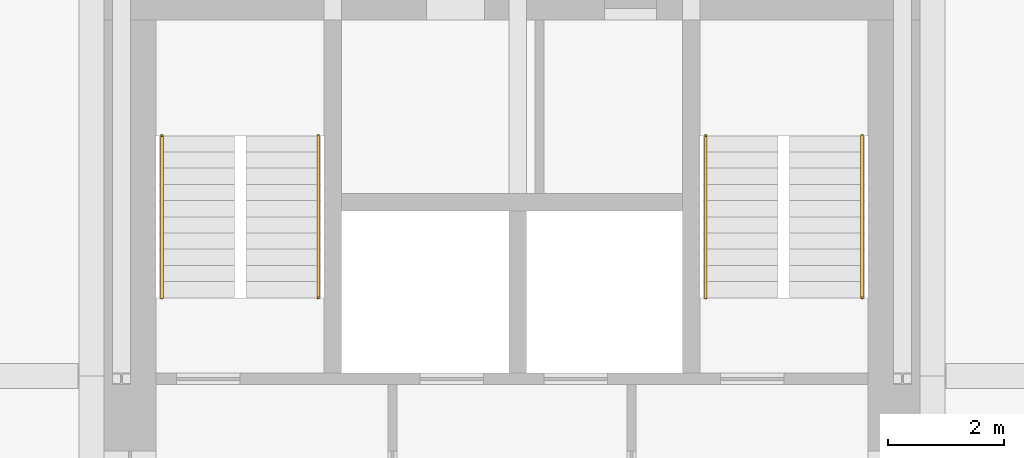
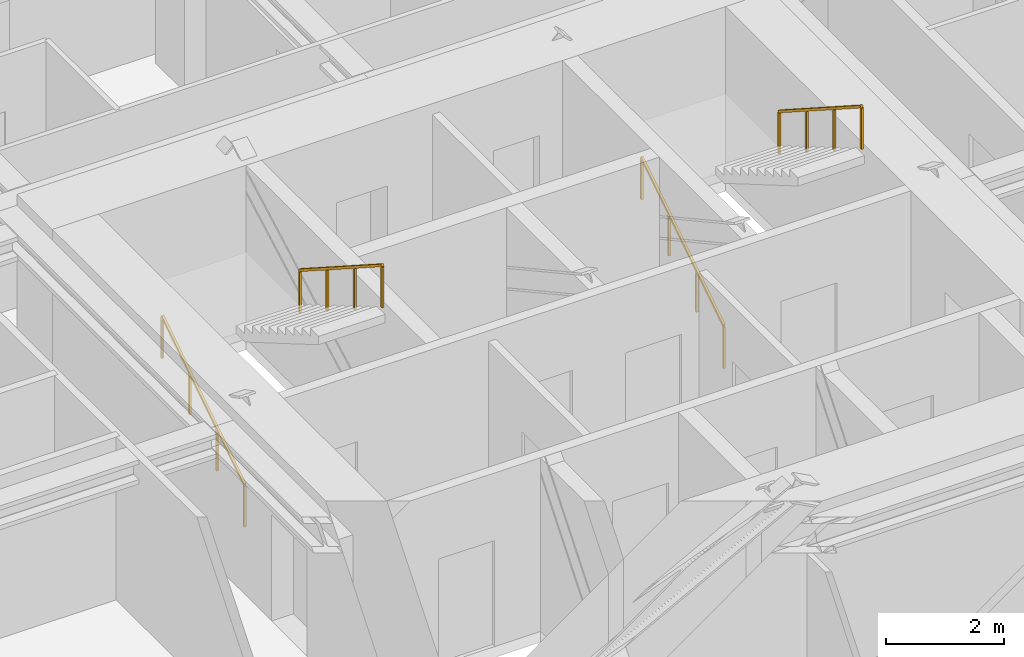
# One storey, part 7 of 7: 4 railings.
"""IFC4 building model written with IfcOpenShell, lengths in metres."""

from ifc_helpers import new_model, si_unit, direction, frame, origin, origin_2d, place, context, subcontext, project, spatial, rectangle, extrude, material, type_object, element, save


model = new_model("IFC4")

# Units and contexts
model_context = context("Model", 3, precision=1e-05, world=origin(), true_north=direction((0.0, 1.0)))
body_context = subcontext(model_context, "Body", "Model", "MODEL_VIEW")
ifc_project = project(units=[si_unit("LENGTHUNIT", "METRE"), si_unit("AREAUNIT", "SQUARE_METRE"), si_unit("VOLUMEUNIT", "CUBIC_METRE"), si_unit("PLANEANGLEUNIT", "RADIAN"), si_unit("MASSUNIT", "GRAM", prefix="KILO")], contexts=[model_context])

# Site, building, storey
site_placement = place(None, origin())
site = spatial("IfcSite", under=ifc_project, at=site_placement, CompositionType="ELEMENT")
building_placement = place(site_placement, origin())
building = spatial("IfcBuilding", under=site, at=building_placement, Name="Nyansa Garden Tower", CompositionType="ELEMENT")
storey_placement = place(building_placement, frame((0.0, 0.0, 236.699951171875)))
storey = spatial("IfcBuildingStorey", under=building, at=storey_placement, Name="L64", CompositionType="ELEMENT", Elevation=236.699951171875)

# Railings
ifc_material = material(Name="Black powder-coated steel tube 48 mm", Category="steel")
railing_type = type_object("IfcRailingType", Name="Stair handrail HR1", PredefinedType="HANDRAIL", material=ifc_material)
railing_1_placement = place(storey_placement, frame((14.199951171875, 21.60009765625, 0.0)))
element("IfcRailing", 1, at=railing_1_placement, inside=storey, type_object=railing_type, Name="Stair S1 handrail L64", PredefinedType="HANDRAIL", context=body_context, shape_type="SweptSolid", body=[
    extrude(rectangle(XDim=0.048095703125, YDim=0.048095703125, at=origin_2d()), frame((0.0, 0.0, 0.8759765625), z_axis=(0.0, 0.841154643086, 0.54079466197), x_axis=(-1.0, 0.0, 0.0)), (0.0, 0.0, 1.0), 3.32861328125),
    extrude(rectangle(XDim=0.0419921875, YDim=0.0419921875, at=origin_2d()), origin(), (0.0, 0.0, 1.0), 0.851806640625),
    extrude(rectangle(XDim=0.0419921875, YDim=0.0419921875, at=origin_2d()), frame((0.0, 0.933349609375, 0.60009765625)), (0.0, 0.0, 1.0), 0.851806640625),
    extrude(rectangle(XDim=0.0419921875, YDim=0.0419921875, at=origin_2d()), frame((0.0, 1.866455078125, 1.199951171875)), (0.0, 0.0, 1.0), 0.851806640625),
    extrude(rectangle(XDim=0.0419921875, YDim=0.0419921875, at=origin_2d()), frame((0.0, 2.7998046875, 1.800048828125)), (0.0, 0.0, 1.0), 0.851806640625),
])
railing_2_placement = place(storey_placement, frame((16.89990234375, 24.39990234375, 1.800048828125)))
element("IfcRailing", 2, at=railing_2_placement, inside=storey, type_object=railing_type, Name="Stair S1 handrail L64", PredefinedType="HANDRAIL", context=body_context, shape_type="SweptSolid", body=[
    extrude(rectangle(XDim=0.048095703125, YDim=0.048095703125, at=origin_2d()), frame((0.0, 0.0, 0.8759765625), z_axis=(0.0, -0.841154643086, 0.54079466197), x_axis=(1.0, 0.0, 0.0)), (0.0, 0.0, 1.0), 3.32861328125),
    extrude(rectangle(XDim=0.0419921875, YDim=0.0419921875, at=origin_2d()), origin(), (0.0, 0.0, 1.0), 0.851806640625),
    extrude(rectangle(XDim=0.0419921875, YDim=0.0419921875, at=origin_2d()), frame((0.0, -0.933349609375, 0.60009765625)), (0.0, 0.0, 1.0), 0.851806640625),
    extrude(rectangle(XDim=0.0419921875, YDim=0.0419921875, at=origin_2d()), frame((0.0, -1.866455078125, 1.199951171875)), (0.0, 0.0, 1.0), 0.851806640625),
    extrude(rectangle(XDim=0.0419921875, YDim=0.0419921875, at=origin_2d()), frame((0.0, -2.7998046875, 1.800048828125)), (0.0, 0.0, 1.0), 0.851806640625),
])
railing_3_placement = place(storey_placement, frame((23.60009765625, 21.60009765625, 0.0)))
element("IfcRailing", 3, at=railing_3_placement, inside=storey, type_object=railing_type, Name="Stair S2 handrail L64", PredefinedType="HANDRAIL", context=body_context, shape_type="SweptSolid", body=[
    extrude(rectangle(XDim=0.048095703125, YDim=0.048095703125, at=origin_2d()), frame((0.0, 0.0, 0.8759765625), z_axis=(0.0, 0.841154643086, 0.54079466197), x_axis=(-1.0, 0.0, 0.0)), (0.0, 0.0, 1.0), 3.32861328125),
    extrude(rectangle(XDim=0.0419921875, YDim=0.0419921875, at=origin_2d()), origin(), (0.0, 0.0, 1.0), 0.851806640625),
    extrude(rectangle(XDim=0.0419921875, YDim=0.0419921875, at=origin_2d()), frame((0.0, 0.933349609375, 0.60009765625)), (0.0, 0.0, 1.0), 0.851806640625),
    extrude(rectangle(XDim=0.0419921875, YDim=0.0419921875, at=origin_2d()), frame((0.0, 1.866455078125, 1.199951171875)), (0.0, 0.0, 1.0), 0.851806640625),
    extrude(rectangle(XDim=0.0419921875, YDim=0.0419921875, at=origin_2d()), frame((0.0, 2.7998046875, 1.800048828125)), (0.0, 0.0, 1.0), 0.851806640625),
])
railing_4_placement = place(storey_placement, frame((26.300048828125, 24.39990234375, 1.800048828125)))
element("IfcRailing", 4, at=railing_4_placement, inside=storey, type_object=railing_type, Name="Stair S2 handrail L64", PredefinedType="HANDRAIL", context=body_context, shape_type="SweptSolid", body=[
    extrude(rectangle(XDim=0.048095703125, YDim=0.048095703125, at=origin_2d()), frame((0.0, 0.0, 0.8759765625), z_axis=(0.0, -0.841154643086, 0.54079466197), x_axis=(1.0, 0.0, 0.0)), (0.0, 0.0, 1.0), 3.32861328125),
    extrude(rectangle(XDim=0.0419921875, YDim=0.0419921875, at=origin_2d()), origin(), (0.0, 0.0, 1.0), 0.851806640625),
    extrude(rectangle(XDim=0.0419921875, YDim=0.0419921875, at=origin_2d()), frame((0.0, -0.933349609375, 0.60009765625)), (0.0, 0.0, 1.0), 0.851806640625),
    extrude(rectangle(XDim=0.0419921875, YDim=0.0419921875, at=origin_2d()), frame((0.0, -1.866455078125, 1.199951171875)), (0.0, 0.0, 1.0), 0.851806640625),
    extrude(rectangle(XDim=0.0419921875, YDim=0.0419921875, at=origin_2d()), frame((0.0, -2.7998046875, 1.800048828125)), (0.0, 0.0, 1.0), 0.851806640625),
])

save(model, "model.ifc")
